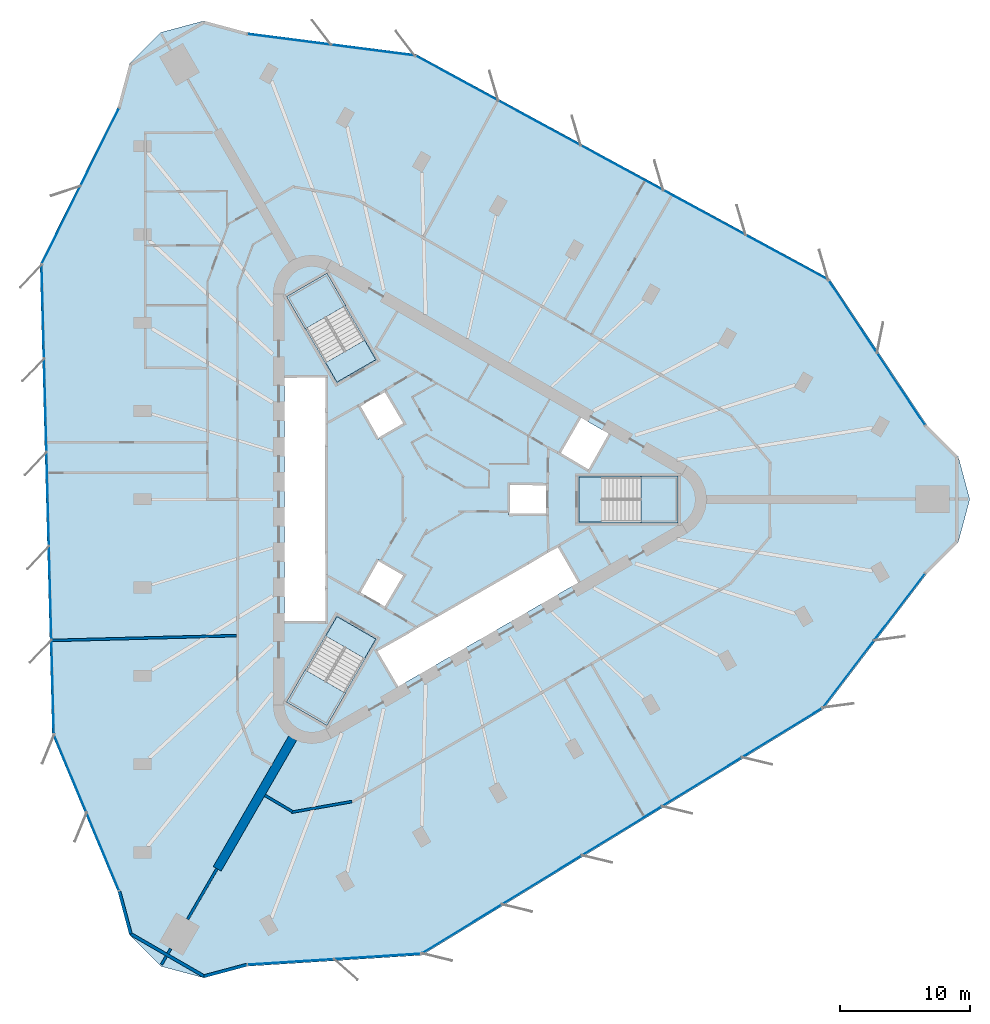
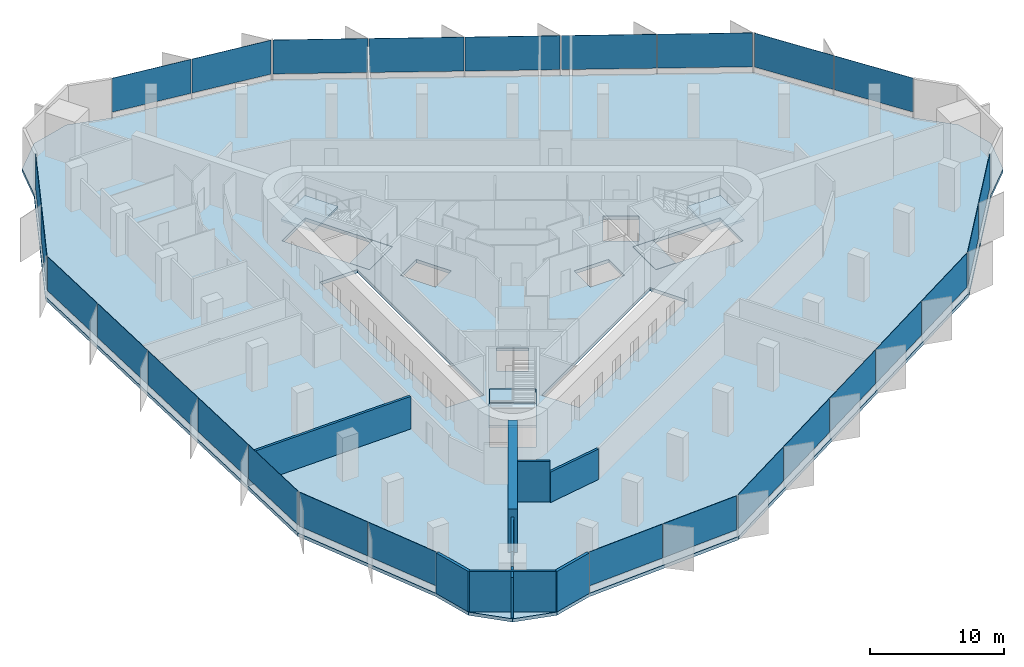
# One storey, part 7 of 14: 27 plates, 10 walls, 7 slabs, 12 elements without a shape of their own.
"""IFC4 building model written with IfcOpenShell, lengths in metres."""

from ifc_helpers import new_model, si_unit, direction, frame, frame_2d, origin, origin_2d, place, context, subcontext, project, spatial, polyline, rectangle, outline, extrude, material, layer, layer_set, type_object, element, aggregate, save


model = new_model("IFC4")

# Units and contexts
model_context = context("Model", 3, precision=1e-05, world=origin(), true_north=direction((0.0, 1.0)))
body_context = subcontext(model_context, "Body", "Model", "MODEL_VIEW")
ifc_project = project(units=[si_unit("LENGTHUNIT", "METRE"), si_unit("AREAUNIT", "SQUARE_METRE"), si_unit("VOLUMEUNIT", "CUBIC_METRE"), si_unit("PLANEANGLEUNIT", "RADIAN"), si_unit("MASSUNIT", "GRAM", prefix="KILO")], contexts=[model_context])

# Site, building, storey
site_placement = place(None, origin())
site = spatial("IfcSite", under=ifc_project, at=site_placement, CompositionType="ELEMENT")
building_placement = place(site_placement, origin())
building = spatial("IfcBuilding", under=site, at=building_placement, Name="Tanit Gate Tower", CompositionType="ELEMENT")
storey_placement = place(building_placement, frame((0.0, 0.0, 221.199951171875)))
storey = spatial("IfcBuildingStorey", under=building, at=storey_placement, Name="L49", CompositionType="ELEMENT", Elevation=221.199951171875)

# Slab
ifc_material_1 = material(Name="Concrete C35/45", Category="concrete")
ifc_layer_1 = layer(ifc_material_1, 0.300048828125)
ifc_layer_set_1 = layer_set([ifc_layer_1], Name="FLOOR SLAB 300 C35/45")
slab_type_1 = type_object("IfcSlabType", Name="FLOOR SLAB 300 C35/45", PredefinedType="FLOOR", material=ifc_layer_set_1)
slab_1_placement = place(storey_placement, frame((0.0, 0.0, -0.300048828125)))
element("IfcSlab", 1, at=slab_1_placement, inside=storey, type_object=slab_type_1, Name="FLOOR SLAB L49", PredefinedType="FLOOR", context=body_context, shape_type="SweptSolid", body=[
    extrude(outline(polyline([(38.059814453125, 5.72509765625), (40.4794921875, 3.305419921875), (41.365234375, 0.0), (40.4794921875, -3.305419921875), (38.059814453125, -5.72509765625), (30.148193359375, -16.10009765625), (-0.66015625, -34.974609375), (-14.07177734375, -35.823486328125), (-17.377197265625, -36.708984375), (-20.6826171875, -35.823486328125), (-23.102294921875, -33.40380859375), (-23.988037109375, -30.098388671875), (-29.017333984375, -18.05908203125), (-29.958984375, 18.05908203125), (-23.988037109375, 30.098388671875), (-23.102294921875, 33.40380859375), (-20.6826171875, 35.823486328125), (-17.377197265625, 36.708984375), (-14.07177734375, 35.823486328125), (-1.130859375, 34.1591796875), (30.618896484375, 16.915771484375), (38.059814453125, 5.72509765625)]), holes=[polyline([(11.3701171875, 1.72998046875), (18.929931640625, 1.72998046875), (18.929931640625, -1.72998046875), (11.3701171875, -1.72998046875), (11.3701171875, 1.72998046875)]), polyline([(9.82080078125, 3.510009765625), (11.44580078125, 6.324462890625), (13.783935546875, 4.974609375), (12.158935546875, 2.159912109375), (9.82080078125, 3.510009765625)]), polyline([(-4.208984375, -11.60986328125), (9.82080078125, -3.510009765625), (11.44580078125, -6.324462890625), (-2.583984375, -14.424560546875), (-4.208984375, -11.60986328125)]), polyline([(6.0, 1.199951171875), (9.0, 1.199951171875), (9.0, -1.199951171875), (6.0, -1.199951171875), (6.0, 1.199951171875)]), polyline([(-5.539306640625, 7.194091796875), (-3.460693359375, 8.394287109375), (-1.960693359375, 5.796142578125), (-4.039306640625, 4.59619140625), (-5.539306640625, 7.194091796875)]), polyline([(-1.960693359375, -5.796142578125), (-3.460693359375, -8.394287109375), (-5.539306640625, -7.194091796875), (-4.039306640625, -4.59619140625), (-1.960693359375, -5.796142578125)]), polyline([(-10.963134765625, 15.52880859375), (-7.966796875, 17.2587890625), (-4.186767578125, 10.711669921875), (-7.18310546875, 8.981689453125), (-10.963134765625, 15.52880859375)]), polyline([(-4.186767578125, -10.711669921875), (-7.966796875, -17.2587890625), (-10.963134765625, -15.52880859375), (-7.18310546875, -8.981689453125), (-4.186767578125, -10.711669921875)]), polyline([(-11.199951171875, -9.449951171875), (-11.199951171875, 9.449951171875), (-7.949951171875, 9.449951171875), (-7.949951171875, -9.449951171875), (-11.199951171875, -9.449951171875)])]), origin(), (0.0, 0.0, 1.0), 0.300048828125),
])

# Curtain wall, plates
ifc_material_2 = material(Name="Aluminium bronze anodised and glass", Category="aluminium")
curtain_wall_type = type_object("IfcCurtainWallType", Name="Curtain wall typical mid", PredefinedType="NOTDEFINED", material=ifc_material_2)
curtain_wall_1_placement = place(storey_placement, origin())
curtain_wall_1 = element("IfcCurtainWall", 2, at=curtain_wall_1_placement, inside=storey, type_object=curtain_wall_type, Name="Curtain wall L49 NE1", PredefinedType="NOTDEFINED")
ifc_material_3 = material(Name="Glass tinted", Category="glass")
ifc_layer_2 = layer(ifc_material_3, 0.030029296875)
ifc_layer_set_2 = layer_set([ifc_layer_2], Name="Glass panel 30 typical mid")
plate_type = type_object("IfcPlateType", Name="Glass panel 30 typical mid", PredefinedType="CURTAIN_PANEL", material=ifc_layer_set_2)
plate_1_placement = place(storey_placement, frame((36.09765625, 8.459228515625, 0.60009765625), z_axis=(0.0, 0.0, 1.0), x_axis=(-0.553699143506, 0.832716793682, 0.0)))
plate_1 = element("IfcPlate", 3, at=plate_1_placement, type_object=plate_type, Name="Glass panel L49 NE1.1", PredefinedType="CURTAIN_PANEL", context=body_context, shape_type="SweptSolid", body=[
    extrude(rectangle(XDim=6.59033203125, YDim=0.030029296875, at=origin_2d()), origin(), (0.0, 0.0, 1.0), 3.10009765625),
])
plate_2_placement = place(storey_placement, frame((32.404296875, 14.013916015625, 0.60009765625), z_axis=(0.0, 0.0, 1.0), x_axis=(-0.553699143506, 0.832716793682, 0.0)))
plate_2 = element("IfcPlate", 4, at=plate_2_placement, type_object=plate_type, Name="Glass panel L49 NE1.2", PredefinedType="CURTAIN_PANEL", context=body_context, shape_type="SweptSolid", body=[
    extrude(rectangle(XDim=6.59033203125, YDim=0.030029296875, at=origin_2d()), origin(), (0.0, 0.0, 1.0), 3.10009765625),
])
aggregate(curtain_wall_1, [plate_1, plate_2])

curtain_wall_2_placement = place(storey_placement, origin())
curtain_wall_2 = element("IfcCurtainWall", 5, at=curtain_wall_2_placement, inside=storey, type_object=curtain_wall_type, Name="Curtain wall L49 NE2", PredefinedType="NOTDEFINED")
plate_3_placement = place(storey_placement, frame((27.3369140625, 18.5615234375, 0.60009765625), z_axis=(0.0, 0.0, 1.0), x_axis=(-0.878762487631, 0.477259353321, 0.0)))
plate_3 = element("IfcPlate", 6, at=plate_3_placement, type_object=plate_type, Name="Glass panel L49 NE2.1", PredefinedType="CURTAIN_PANEL", context=body_context, shape_type="SweptSolid", body=[
    extrude(rectangle(XDim=7.11962890625, YDim=0.030029296875, at=origin_2d()), origin(), (0.0, 0.0, 1.0), 3.10009765625),
])
plate_4_placement = place(storey_placement, frame((21.01025390625, 21.99755859375, 0.60009765625), z_axis=(0.0, 0.0, 1.0), x_axis=(-0.878762487631, 0.477259353321, 0.0)))
plate_4 = element("IfcPlate", 7, at=plate_4_placement, type_object=plate_type, Name="Glass panel L49 NE2.2", PredefinedType="CURTAIN_PANEL", context=body_context, shape_type="SweptSolid", body=[
    extrude(rectangle(XDim=7.11962890625, YDim=0.030029296875, at=origin_2d()), origin(), (0.0, 0.0, 1.0), 3.10009765625),
])
plate_5_placement = place(storey_placement, frame((14.68359375, 25.433837890625, 0.60009765625), z_axis=(0.0, 0.0, 1.0), x_axis=(-0.878762487631, 0.477259353321, 0.0)))
plate_5 = element("IfcPlate", 8, at=plate_5_placement, type_object=plate_type, Name="Glass panel L49 NE2.3", PredefinedType="CURTAIN_PANEL", context=body_context, shape_type="SweptSolid", body=[
    extrude(rectangle(XDim=7.11962890625, YDim=0.030029296875, at=origin_2d()), origin(), (0.0, 0.0, 1.0), 3.10009765625),
])
plate_6_placement = place(storey_placement, frame((8.356689453125, 28.869873046875, 0.60009765625), z_axis=(0.0, 0.0, 1.0), x_axis=(-0.878762487631, 0.477259353321, 0.0)))
plate_6 = element("IfcPlate", 9, at=plate_6_placement, type_object=plate_type, Name="Glass panel L49 NE2.4", PredefinedType="CURTAIN_PANEL", context=body_context, shape_type="SweptSolid", body=[
    extrude(rectangle(XDim=7.11962890625, YDim=0.030029296875, at=origin_2d()), origin(), (0.0, 0.0, 1.0), 3.10009765625),
])
plate_7_placement = place(storey_placement, frame((2.030029296875, 32.305908203125, 0.60009765625), z_axis=(0.0, 0.0, 1.0), x_axis=(-0.878762487631, 0.477259353321, 0.0)))
plate_7 = element("IfcPlate", 10, at=plate_7_placement, type_object=plate_type, Name="Glass panel L49 NE2.5", PredefinedType="CURTAIN_PANEL", context=body_context, shape_type="SweptSolid", body=[
    extrude(rectangle(XDim=7.11962890625, YDim=0.030029296875, at=origin_2d()), origin(), (0.0, 0.0, 1.0), 3.10009765625),
])
aggregate(curtain_wall_2, [plate_3, plate_4, plate_5, plate_6, plate_7])

curtain_wall_3_placement = place(storey_placement, origin())
curtain_wall_3 = element("IfcCurtainWall", 11, at=curtain_wall_3_placement, inside=storey, type_object=curtain_wall_type, Name="Curtain wall L49 NE3", PredefinedType="NOTDEFINED")
plate_8_placement = place(storey_placement, frame((-4.419921875, 34.461181640625, 0.60009765625), z_axis=(0.0, 0.0, 1.0), x_axis=(-0.991831679282, 0.127553596472, 0.0)))
plate_8 = element("IfcPlate", 12, at=plate_8_placement, type_object=plate_type, Name="Glass panel L49 NE3.1", PredefinedType="CURTAIN_PANEL", context=body_context, shape_type="SweptSolid", body=[
    extrude(rectangle(XDim=6.396484375, YDim=0.030029296875, at=origin_2d()), origin(), (0.0, 0.0, 1.0), 3.10009765625),
])
plate_9_placement = place(storey_placement, frame((-10.843505859375, 35.287353515625, 0.60009765625), z_axis=(0.0, 0.0, 1.0), x_axis=(-0.991831679282, 0.127553596472, 0.0)))
plate_9 = element("IfcPlate", 13, at=plate_9_placement, type_object=plate_type, Name="Glass panel L49 NE3.2", PredefinedType="CURTAIN_PANEL", context=body_context, shape_type="SweptSolid", body=[
    extrude(rectangle(XDim=6.396484375, YDim=0.030029296875, at=origin_2d()), origin(), (0.0, 0.0, 1.0), 3.10009765625),
])
aggregate(curtain_wall_3, [plate_8, plate_9])

curtain_wall_4_placement = place(storey_placement, origin())
curtain_wall_4 = element("IfcCurtainWall", 14, at=curtain_wall_4_placement, inside=storey, type_object=curtain_wall_type, Name="Curtain wall L49 W1", PredefinedType="NOTDEFINED")
plate_10_placement = place(storey_placement, frame((-25.375, 27.031982421875, 0.60009765625), z_axis=(0.0, 0.0, 1.0), x_axis=(-0.444304325734, -0.895875921171, 0.0)))
plate_10 = element("IfcPlate", 15, at=plate_10_placement, type_object=plate_type, Name="Glass panel L49 W1.1", PredefinedType="CURTAIN_PANEL", context=body_context, shape_type="SweptSolid", body=[
    extrude(rectangle(XDim=6.59033203125, YDim=0.030029296875, at=origin_2d()), origin(), (0.0, 0.0, 1.0), 3.10009765625),
])
plate_11_placement = place(storey_placement, frame((-28.338623046875, 21.05615234375, 0.60009765625), z_axis=(0.0, 0.0, 1.0), x_axis=(-0.444304325734, -0.895875921171, 0.0)))
plate_11 = element("IfcPlate", 16, at=plate_11_placement, type_object=plate_type, Name="Glass panel L49 W1.2", PredefinedType="CURTAIN_PANEL", context=body_context, shape_type="SweptSolid", body=[
    extrude(rectangle(XDim=6.59033203125, YDim=0.030029296875, at=origin_2d()), origin(), (0.0, 0.0, 1.0), 3.10009765625),
])
aggregate(curtain_wall_4, [plate_10, plate_11])

curtain_wall_5_placement = place(storey_placement, origin())
curtain_wall_5 = element("IfcCurtainWall", 17, at=curtain_wall_5_placement, inside=storey, type_object=curtain_wall_type, Name="Curtain wall L49 W2", PredefinedType="NOTDEFINED")
plate_12_placement = place(storey_placement, frame((-29.743408203125, 14.393798828125, 0.60009765625), z_axis=(0.0, 0.0, 1.0), x_axis=(0.026062519646, -0.999660314842, 0.0)))
plate_12 = element("IfcPlate", 18, at=plate_12_placement, type_object=plate_type, Name="Glass panel L49 W2.1", PredefinedType="CURTAIN_PANEL", context=body_context, shape_type="SweptSolid", body=[
    extrude(rectangle(XDim=7.11962890625, YDim=0.030029296875, at=origin_2d()), origin(), (0.0, 0.0, 1.0), 3.10009765625),
])
plate_13_placement = place(storey_placement, frame((-29.5556640625, 7.196533203125, 0.60009765625), z_axis=(0.0, 0.0, 1.0), x_axis=(0.026062519646, -0.999660314842, 0.0)))
plate_13 = element("IfcPlate", 19, at=plate_13_placement, type_object=plate_type, Name="Glass panel L49 W2.2", PredefinedType="CURTAIN_PANEL", context=body_context, shape_type="SweptSolid", body=[
    extrude(rectangle(XDim=7.11962890625, YDim=0.030029296875, at=origin_2d()), origin(), (0.0, 0.0, 1.0), 3.10009765625),
])
plate_14_placement = place(storey_placement, frame((-29.367919921875, -0.00048828125, 0.60009765625), z_axis=(0.0, 0.0, 1.0), x_axis=(0.026062519646, -0.999660314842, 0.0)))
plate_14 = element("IfcPlate", 20, at=plate_14_placement, type_object=plate_type, Name="Glass panel L49 W2.3", PredefinedType="CURTAIN_PANEL", context=body_context, shape_type="SweptSolid", body=[
    extrude(rectangle(XDim=7.11962890625, YDim=0.030029296875, at=origin_2d()), origin(), (0.0, 0.0, 1.0), 3.10009765625),
])
plate_15_placement = place(storey_placement, frame((-29.180419921875, -7.19775390625, 0.60009765625), z_axis=(0.0, 0.0, 1.0), x_axis=(0.026062519646, -0.999660314842, 0.0)))
plate_15 = element("IfcPlate", 21, at=plate_15_placement, type_object=plate_type, Name="Glass panel L49 W2.4", PredefinedType="CURTAIN_PANEL", context=body_context, shape_type="SweptSolid", body=[
    extrude(rectangle(XDim=7.11962890625, YDim=0.030029296875, at=origin_2d()), origin(), (0.0, 0.0, 1.0), 3.10009765625),
])
plate_16_placement = place(storey_placement, frame((-28.99267578125, -14.394775390625, 0.60009765625), z_axis=(0.0, 0.0, 1.0), x_axis=(0.026062519646, -0.999660314842, 0.0)))
plate_16 = element("IfcPlate", 22, at=plate_16_placement, type_object=plate_type, Name="Glass panel L49 W2.5", PredefinedType="CURTAIN_PANEL", context=body_context, shape_type="SweptSolid", body=[
    extrude(rectangle(XDim=7.11962890625, YDim=0.030029296875, at=origin_2d()), origin(), (0.0, 0.0, 1.0), 3.10009765625),
])
aggregate(curtain_wall_5, [plate_12, plate_13, plate_14, plate_15, plate_16])

curtain_wall_6_placement = place(storey_placement, origin())
curtain_wall_6 = element("IfcCurtainWall", 23, at=curtain_wall_6_placement, inside=storey, type_object=curtain_wall_type, Name="Curtain wall L49 W3", PredefinedType="NOTDEFINED")
plate_17_placement = place(storey_placement, frame((-27.63427734375, -21.058349609375, 0.60009765625), z_axis=(0.0, 0.0, 1.0), x_axis=(0.385451184752, -0.922728228772, 0.0)))
plate_17 = element("IfcPlate", 24, at=plate_17_placement, type_object=plate_type, Name="Glass panel L49 W3.1", PredefinedType="CURTAIN_PANEL", context=body_context, shape_type="SweptSolid", body=[
    extrude(rectangle(XDim=6.396484375, YDim=0.030029296875, at=origin_2d()), origin(), (0.0, 0.0, 1.0), 3.10009765625),
])
plate_18_placement = place(storey_placement, frame((-25.137939453125, -27.034423828125, 0.60009765625), z_axis=(0.0, 0.0, 1.0), x_axis=(0.385451184752, -0.922728228772, 0.0)))
plate_18 = element("IfcPlate", 25, at=plate_18_placement, type_object=plate_type, Name="Glass panel L49 W3.2", PredefinedType="CURTAIN_PANEL", context=body_context, shape_type="SweptSolid", body=[
    extrude(rectangle(XDim=6.396484375, YDim=0.030029296875, at=origin_2d()), origin(), (0.0, 0.0, 1.0), 3.10009765625),
])
aggregate(curtain_wall_6, [plate_17, plate_18])

curtain_wall_7_placement = place(storey_placement, origin())
curtain_wall_7 = element("IfcCurtainWall", 26, at=curtain_wall_7_placement, inside=storey, type_object=curtain_wall_type, Name="Curtain wall L49 SE1", PredefinedType="NOTDEFINED")
plate_19_placement = place(storey_placement, frame((-10.722900390625, -35.4912109375, 0.60009765625), z_axis=(0.0, 0.0, 1.0), x_axis=(0.99800346924, 0.063159127489, 0.0)))
plate_19 = element("IfcPlate", 27, at=plate_19_placement, type_object=plate_type, Name="Glass panel L49 SE1.1", PredefinedType="CURTAIN_PANEL", context=body_context, shape_type="SweptSolid", body=[
    extrude(rectangle(XDim=6.59033203125, YDim=0.030029296875, at=origin_2d()), origin(), (0.0, 0.0, 1.0), 3.10009765625),
])
plate_20_placement = place(storey_placement, frame((-4.065673828125, -35.06982421875, 0.60009765625), z_axis=(0.0, 0.0, 1.0), x_axis=(0.99800346924, 0.063159127489, 0.0)))
plate_20 = element("IfcPlate", 28, at=plate_20_placement, type_object=plate_type, Name="Glass panel L49 SE1.2", PredefinedType="CURTAIN_PANEL", context=body_context, shape_type="SweptSolid", body=[
    extrude(rectangle(XDim=6.59033203125, YDim=0.030029296875, at=origin_2d()), origin(), (0.0, 0.0, 1.0), 3.10009765625),
])
aggregate(curtain_wall_7, [plate_19, plate_20])

curtain_wall_8_placement = place(storey_placement, origin())
curtain_wall_8 = element("IfcCurtainWall", 29, at=curtain_wall_8_placement, inside=storey, type_object=curtain_wall_type, Name="Curtain wall L49 SE2", PredefinedType="NOTDEFINED")
plate_21_placement = place(storey_placement, frame((2.40625, -32.955322265625, 0.60009765625), z_axis=(0.0, 0.0, 1.0), x_axis=(0.852699967985, 0.522400961521, 0.0)))
plate_21 = element("IfcPlate", 30, at=plate_21_placement, type_object=plate_type, Name="Glass panel L49 SE2.1", PredefinedType="CURTAIN_PANEL", context=body_context, shape_type="SweptSolid", body=[
    extrude(rectangle(XDim=7.11962890625, YDim=0.030029296875, at=origin_2d()), origin(), (0.0, 0.0, 1.0), 3.10009765625),
])
plate_22_placement = place(storey_placement, frame((8.54541015625, -29.1943359375, 0.60009765625), z_axis=(0.0, 0.0, 1.0), x_axis=(0.852699967985, 0.522400961521, 0.0)))
plate_22 = element("IfcPlate", 31, at=plate_22_placement, type_object=plate_type, Name="Glass panel L49 SE2.2", PredefinedType="CURTAIN_PANEL", context=body_context, shape_type="SweptSolid", body=[
    extrude(rectangle(XDim=7.11962890625, YDim=0.030029296875, at=origin_2d()), origin(), (0.0, 0.0, 1.0), 3.10009765625),
])
plate_23_placement = place(storey_placement, frame((14.6845703125, -25.43310546875, 0.60009765625), z_axis=(0.0, 0.0, 1.0), x_axis=(0.852699967985, 0.522400961521, 0.0)))
plate_23 = element("IfcPlate", 32, at=plate_23_placement, type_object=plate_type, Name="Glass panel L49 SE2.3", PredefinedType="CURTAIN_PANEL", context=body_context, shape_type="SweptSolid", body=[
    extrude(rectangle(XDim=7.11962890625, YDim=0.030029296875, at=origin_2d()), origin(), (0.0, 0.0, 1.0), 3.10009765625),
])
plate_24_placement = place(storey_placement, frame((20.823486328125, -21.672119140625, 0.60009765625), z_axis=(0.0, 0.0, 1.0), x_axis=(0.852699967985, 0.522400961521, 0.0)))
plate_24 = element("IfcPlate", 33, at=plate_24_placement, type_object=plate_type, Name="Glass panel L49 SE2.4", PredefinedType="CURTAIN_PANEL", context=body_context, shape_type="SweptSolid", body=[
    extrude(rectangle(XDim=7.11962890625, YDim=0.030029296875, at=origin_2d()), origin(), (0.0, 0.0, 1.0), 3.10009765625),
])
plate_25_placement = place(storey_placement, frame((26.962646484375, -17.9111328125, 0.60009765625), z_axis=(0.0, 0.0, 1.0), x_axis=(0.852699967985, 0.522400961521, 0.0)))
plate_25 = element("IfcPlate", 34, at=plate_25_placement, type_object=plate_type, Name="Glass panel L49 SE2.5", PredefinedType="CURTAIN_PANEL", context=body_context, shape_type="SweptSolid", body=[
    extrude(rectangle(XDim=7.11962890625, YDim=0.030029296875, at=origin_2d()), origin(), (0.0, 0.0, 1.0), 3.10009765625),
])
aggregate(curtain_wall_8, [plate_21, plate_22, plate_23, plate_24, plate_25])

curtain_wall_9_placement = place(storey_placement, origin())
curtain_wall_9 = element("IfcCurtainWall", 35, at=curtain_wall_9_placement, inside=storey, type_object=curtain_wall_type, Name="Curtain wall L49 SE3", PredefinedType="NOTDEFINED")
plate_26_placement = place(storey_placement, frame((32.05419921875, -13.40283203125, 0.60009765625), z_axis=(0.0, 0.0, 1.0), x_axis=(0.60638049453, 0.7951746323, 0.0)))
plate_26 = element("IfcPlate", 36, at=plate_26_placement, type_object=plate_type, Name="Glass panel L49 SE3.1", PredefinedType="CURTAIN_PANEL", context=body_context, shape_type="SweptSolid", body=[
    extrude(rectangle(XDim=6.396484375, YDim=0.030029296875, at=origin_2d()), origin(), (0.0, 0.0, 1.0), 3.10009765625),
])
plate_27_placement = place(storey_placement, frame((35.9814453125, -8.252685546875, 0.60009765625), z_axis=(0.0, 0.0, 1.0), x_axis=(0.60638049453, 0.7951746323, 0.0)))
plate_27 = element("IfcPlate", 37, at=plate_27_placement, type_object=plate_type, Name="Glass panel L49 SE3.2", PredefinedType="CURTAIN_PANEL", context=body_context, shape_type="SweptSolid", body=[
    extrude(rectangle(XDim=6.396484375, YDim=0.030029296875, at=origin_2d()), origin(), (0.0, 0.0, 1.0), 3.10009765625),
])
aggregate(curtain_wall_9, [plate_26, plate_27])

# Stair, slab
ifc_material_4 = material(Name="Concrete C40/50", Category="concrete")
stair_type = type_object("IfcStairType", Name="INT-STAIR-EXIT", PredefinedType="HALF_TURN_STAIR", material=ifc_material_4)
stair_1_placement = place(storey_placement, origin())
stair_1 = element("IfcStair", 38, at=stair_1_placement, inside=storey, type_object=stair_type, Name="L49 STAIR S1", PredefinedType="HALF_TURN_STAIR")
ifc_material_5 = material(Name="Concrete C40/50", Category="concrete")
ifc_layer_3 = layer(ifc_material_5, 0.199951171875)
ifc_layer_set_3 = layer_set([ifc_layer_3], Name="INT-STAIR-LANDING")
slab_type_2 = type_object("IfcSlabType", Name="INT-STAIR-LANDING", PredefinedType="LANDING", material=ifc_layer_set_3)
slab_2_placement = place(storey_placement, frame((0.0, 0.0, 1.800048828125)))
slab_2 = element("IfcSlab", 39, at=slab_2_placement, type_object=slab_type_2, Name="S1 landing 1", PredefinedType="LANDING", context=body_context, shape_type="SweptSolid", body=[
    extrude(outline(polyline([(16.135986328125, -1.800048828125), (19.0, -1.800048828125), (19.0, 1.800048828125), (16.135986328125, 1.800048828125), (16.135986328125, -1.800048828125)])), origin(), (0.0, 0.0, 1.0), 0.199951171875),
])
aggregate(stair_1, [slab_2])

# Slab
slab_3_placement = place(storey_placement, frame((0.0, 0.0, -0.199951171875)))
element("IfcSlab", 40, at=slab_3_placement, inside=storey, type_object=slab_type_2, Name="S1 floor landing", PredefinedType="LANDING", context=body_context, shape_type="SweptSolid", body=[
    extrude(outline(polyline([(11.3798828125, -1.719970703125), (13.10498046875, -1.719970703125), (13.10498046875, 1.719970703125), (11.3798828125, 1.719970703125), (11.3798828125, -1.719970703125)])), origin(), (0.0, 0.0, 1.0), 0.199951171875),
])

# Stair, slab
stair_2_placement = place(storey_placement, origin())
stair_2 = element("IfcStair", 41, at=stair_2_placement, inside=storey, type_object=stair_type, Name="L49 STAIR S2", PredefinedType="HALF_TURN_STAIR")
slab_4_placement = place(storey_placement, frame((0.0, 0.0, 1.800048828125)))
slab_4 = element("IfcSlab", 42, at=slab_4_placement, type_object=slab_type_2, Name="S2 landing 1", PredefinedType="LANDING", context=body_context, shape_type="SweptSolid", body=[
    extrude(outline(polyline([(-6.5078125, 14.871826171875), (-7.941162109375, 17.3544921875), (-11.058837890625, 15.554443359375), (-9.62548828125, 13.07177734375), (-6.5078125, 14.871826171875)])), origin(), (0.0, 0.0, 1.0), 0.199951171875),
])
aggregate(stair_2, [slab_4])

# Slab
slab_5_placement = place(storey_placement, frame((0.0, 0.0, -0.199951171875)))
element("IfcSlab", 43, at=slab_5_placement, inside=storey, type_object=slab_type_2, Name="S2 floor landing", PredefinedType="LANDING", context=body_context, shape_type="SweptSolid", body=[
    extrude(outline(polyline([(-4.200439453125, 10.71533203125), (-5.0625, 12.20849609375), (-8.04150390625, 10.48828125), (-7.179443359375, 8.995361328125), (-4.200439453125, 10.71533203125)])), origin(), (0.0, 0.0, 1.0), 0.199951171875),
])

# Stair, slab
stair_3_placement = place(storey_placement, origin())
stair_3 = element("IfcStair", 44, at=stair_3_placement, inside=storey, type_object=stair_type, Name="L49 STAIR S3", PredefinedType="HALF_TURN_STAIR")
slab_6_placement = place(storey_placement, frame((0.0, 0.0, 1.800048828125)))
slab_6 = element("IfcSlab", 45, at=slab_6_placement, type_object=slab_type_2, Name="S3 landing 1", PredefinedType="LANDING", context=body_context, shape_type="SweptSolid", body=[
    extrude(outline(polyline([(-9.626953125, -13.07421875), (-11.058837890625, -15.554443359375), (-7.941162109375, -17.3544921875), (-6.509033203125, -14.874267578125), (-9.626953125, -13.07421875)])), origin(), (0.0, 0.0, 1.0), 0.199951171875),
])
aggregate(stair_3, [slab_6])

# Slab
slab_7_placement = place(storey_placement, frame((0.0, 0.0, -0.199951171875)))
element("IfcSlab", 46, at=slab_7_placement, inside=storey, type_object=slab_type_2, Name="S3 floor landing", PredefinedType="LANDING", context=body_context, shape_type="SweptSolid", body=[
    extrude(outline(polyline([(-7.179443359375, -8.995361328125), (-8.0419921875, -10.4892578125), (-5.06298828125, -12.209228515625), (-4.200439453125, -10.71533203125), (-7.179443359375, -8.995361328125)])), origin(), (0.0, 0.0, 1.0), 0.199951171875),
])

# Walls
ifc_material_6 = material(Name="Concrete C50/60", Category="concrete")
ifc_layer_4 = layer(ifc_material_6, 0.699951171875)
ifc_layer_set_4 = layer_set([ifc_layer_4], Name="BUTTRESS FIN 700 C50/60")
wall_type_1 = type_object("IfcWallType", Name="BUTTRESS FIN 700 C50/60", PredefinedType="SHEAR", material=ifc_layer_set_4)
wall_1_placement = place(storey_placement, frame((-10.574951171875, -18.31640625, 0.0), z_axis=(0.0, 0.0, 1.0), x_axis=(-0.499998001389, -0.86602655768, 0.0)))
element("IfcWall", 47, at=wall_1_placement, inside=storey, type_object=wall_type_1, Name="BUTTRESS FIN", PredefinedType="SHEAR", context=body_context, shape_type="SweptSolid", body=[
    extrude(rectangle(XDim=11.5810546875, YDim=0.699951171875, at=frame_2d((5.79052734375, 0.0))), origin(), (0.0, 0.0, 1.0), 4.0),
])
ifc_material_7 = material(Name="Concrete C30/37 with bronze anodised aluminium cladding", Category="concrete")
ifc_layer_5 = layer(ifc_material_7, 0.239990234375)
ifc_layer_set_5 = layer_set([ifc_layer_5], Name="Facade wall bronze clad 240")
wall_type_2 = type_object("IfcWallType", Name="Facade wall bronze clad 240", PredefinedType="SOLIDWALL", material=ifc_layer_set_5)
wall_2_placement = place(storey_placement, frame((-23.874267578125, -30.059326171875, 0.0), z_axis=(0.0, 0.0, 1.0), x_axis=(0.258798334869, -0.965931375341, 0.0)))
element("IfcWall", 48, at=wall_2_placement, inside=storey, type_object=wall_type_2, Name="Bronze-clad facade wall L49 SW.arc1", PredefinedType="SOLIDWALL", context=body_context, shape_type="SweptSolid", body=[
    extrude(rectangle(XDim=3.39794921875, YDim=0.239990234375, at=frame_2d((1.698974609375, 0.0))), origin(), (0.0, 0.0, 1.0), 3.699951171875),
])
wall_3_placement = place(storey_placement, frame((-22.994873046875, -33.341552734375, 0.0), z_axis=(0.0, 0.0, 1.0), x_axis=(0.866022628259, -0.50000480732, 0.0)))
element("IfcWall", 49, at=wall_3_placement, inside=storey, type_object=wall_type_2, Name="Bronze-clad facade wall L49 SW.arc2", PredefinedType="SOLIDWALL", context=body_context, shape_type="SweptSolid", body=[
    extrude(rectangle(XDim=6.48681640625, YDim=0.239990234375, at=frame_2d((3.243408203125, 0.0))), origin(), (0.0, 0.0, 1.0), 3.699951171875),
])
wall_4_placement = place(storey_placement, frame((-17.377197265625, -36.5849609375, 0.0), z_axis=(0.0, 0.0, 1.0), x_axis=(0.96591377161, 0.258864029586, 0.0)))
element("IfcWall", 50, at=wall_4_placement, inside=storey, type_object=wall_type_2, Name="Bronze-clad facade wall L49 SW.arc3", PredefinedType="SOLIDWALL", context=body_context, shape_type="SweptSolid", body=[
    extrude(rectangle(XDim=3.40185546875, YDim=0.239990234375, at=frame_2d((1.700927734375, 0.0))), origin(), (0.0, 0.0, 1.0), 3.699951171875),
])
ifc_material_8 = material(Name="Fire-rated gypsum board partition")
ifc_layer_6 = layer(ifc_material_8, 0.199951171875)
ifc_layer_set_6 = layer_set([ifc_layer_6], Name="INT-WALL-COMPARTMENT")
wall_type_3 = type_object("IfcWallType", Name="INT-WALL-COMPARTMENT", PredefinedType="PARTITIONING", material=ifc_layer_set_6)
wall_5_placement = place(storey_placement, frame((-10.664794921875, -24.0048828125, 0.0), z_axis=(0.0, 0.0, 1.0), x_axis=(0.984806532296, 0.173655100553, 0.0)))
element("IfcWall", 51, at=wall_5_placement, inside=storey, type_object=wall_type_3, Name="Wall Compartment W114", PredefinedType="PARTITIONING", context=body_context, shape_type="SweptSolid", body=[
    extrude(rectangle(XDim=4.70556640625, YDim=0.199951171875, at=frame_2d((2.352783203125, 0.0))), origin(), (0.0, 0.0, 1.0), 2.780029296875),
])
wall_6_placement = place(storey_placement, frame((-12.706787109375, -22.708984375, 0.0), z_axis=(0.0, 0.0, 1.0), x_axis=(0.860754387085, -0.509020515415, 0.0)))
element("IfcWall", 52, at=wall_6_placement, inside=storey, type_object=wall_type_3, Name="Wall Compartment W115", PredefinedType="PARTITIONING", context=body_context, shape_type="SweptSolid", body=[
    extrude(rectangle(XDim=2.45703125, YDim=0.199951171875, at=frame_2d((1.228515625, 0.0))), origin(), (0.0, 0.0, 1.0), 3.699951171875),
])
wall_7_placement = place(storey_placement, frame((-14.89990234375, -10.456298828125, 0.0), z_axis=(0.0, 0.0, 1.0), x_axis=(-0.999660259834, -0.026064629441, 0.0)))
element("IfcWall", 53, at=wall_7_placement, inside=storey, type_object=wall_type_3, Name="Wall Compartment W118", PredefinedType="PARTITIONING", context=body_context, shape_type="SweptSolid", body=[
    extrude(rectangle(XDim=14.190673828125, YDim=0.199951171875, at=frame_2d((7.09521484375, 0.0))), origin(), (0.0, 0.0, 1.0), 2.97998046875),
])
wall_8_placement = place(storey_placement, frame((-19.93359375, -34.466064453125, 0.0), z_axis=(0.0, 0.0, 1.0), x_axis=(-0.500286910726, -0.865859692419, 0.0)))
element("IfcWall", 54, at=wall_8_placement, inside=storey, type_object=wall_type_3, Name="Wall Compartment W119", PredefinedType="PARTITIONING", context=body_context, shape_type="SweptSolid", body=[
    extrude(rectangle(XDim=0.436767578125, YDim=0.199951171875, at=frame_2d((0.21826171875, 0.0))), origin(), (0.0, 0.0, 1.0), 3.699951171875),
])
wall_9_placement = place(storey_placement, frame((-20.27197265625, -35.05224609375, 0.0), z_axis=(0.0, 0.0, 1.0), x_axis=(-0.500178781653, -0.865922159541, 0.0)))
element("IfcWall", 55, at=wall_9_placement, inside=storey, type_object=wall_type_3, Name="Wall Compartment W119x1", PredefinedType="PARTITIONING", context=body_context, shape_type="SweptSolid", body=[
    extrude(rectangle(XDim=0.740966796875, YDim=0.199951171875, at=frame_2d((0.37060546875, 0.0))), origin(), (0.0, 0.0, 1.0), 3.699951171875),
])
wall_10_placement = place(storey_placement, frame((-16.381103515625, -28.3369140625, 0.0), z_axis=(0.0, 0.0, 1.0), x_axis=(-0.502306256161, -0.864689785427, 0.0)))
element("IfcWall", 56, at=wall_10_placement, inside=storey, type_object=wall_type_3, Name="Wall Compartment W120", PredefinedType="PARTITIONING", context=body_context, shape_type="SweptSolid", body=[
    extrude(rectangle(XDim=4.484130859375, YDim=0.199951171875, at=frame_2d((2.2421875, 0.0))), origin(), (0.0, 0.0, 1.0), 3.27001953125),
])

save(model, "model.ifc")
